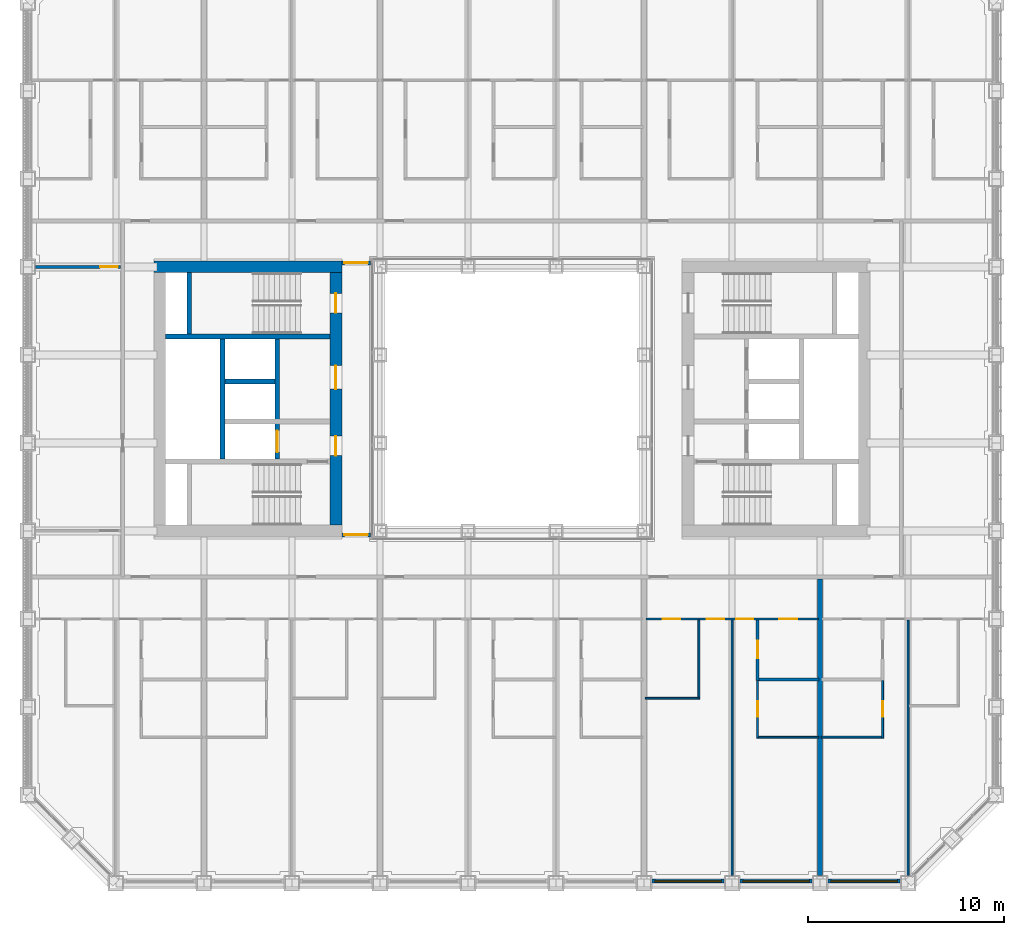
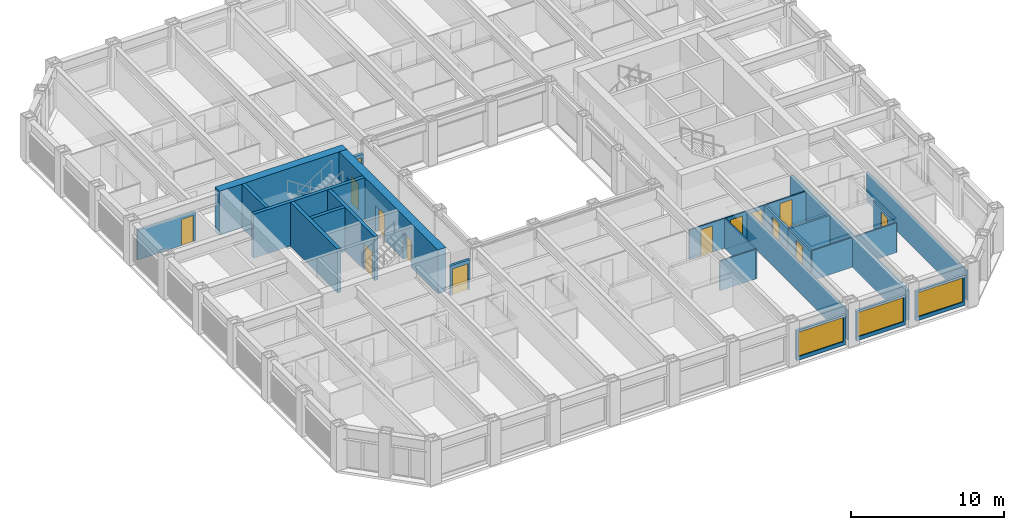
# One storey, part 11 of 21: 25 walls, 14 doors, 3 windows, 17 openings.
"""IFC4 building model written with IfcOpenShell, lengths in metres."""

import ifcopenshell
import ifcopenshell.guid

model = None  # the IFC model being written
_history = None  # IfcOwnerHistory: only IFC2X3 demands one
_inside = {}  # id of a spatial element -> (the spatial element, [elements in it])
_under = {}  # id of a project, library or spatial element -> (it, [spatial elements below it])
_declared = {}  # id of a project -> (the project, [libraries it declares])
_typed = {}  # id of a type object -> (the type object, [elements of that type])
_made_of = {}  # id of a material, layer set ... -> (it, [elements and type objects made of it])


def new_model(schema):
    """Start an empty IFC model of exactly this schema.

    Asked for "IFC4X3", IfcOpenShell would pick the latest addendum, in which some entities
    have other attributes; the version numbers below select the first issue.
    IFC2X3 requires an IfcOwnerHistory on every rooted entity: one is made here for all.
    """
    global model, _history
    if schema == "IFC4X3":
        model = ifcopenshell.file(schema_version=(4, 3, 0, 0))
    else:
        model = ifcopenshell.file(schema=schema)
    _inside.clear()
    _under.clear()
    _declared.clear()
    _typed.clear()
    _made_of.clear()
    _history = None
    if model.schema == "IFC2X3":
        org = make("IfcOrganization", Name="unknown")
        user = make(
            "IfcPersonAndOrganization",
            ThePerson=make("IfcPerson", FamilyName="unknown"),
            TheOrganization=org,
        )
        app = make(
            "IfcApplication",
            ApplicationDeveloper=org,
            Version="unknown",
            ApplicationFullName="unknown",
            ApplicationIdentifier="unknown",
        )
        _history = make(
            "IfcOwnerHistory",
            OwningUser=user,
            OwningApplication=app,
            ChangeAction="ADDED",
            CreationDate=0,
        )
    return model


def make(cls, **values):
    """One entity of the class cls with the attributes given. An attribute that is None is left unset."""
    return model.create_entity(
        cls, **{name: value for name, value in values.items() if value is not None}
    )


def rooted(cls, **values):
    """An entity with a GlobalId (a new one), such as an element, a storey or a relation."""
    return make(cls, GlobalId=ifcopenshell.guid.new(), OwnerHistory=_history, **values)


def si_unit(unit_type, name, prefix=None):
    """IfcSIUnit, for example si_unit("LENGTHUNIT", "METRE", prefix="MILLI")."""
    return make("IfcSIUnit", UnitType=unit_type, Prefix=prefix, Name=name)


def assignment(units):
    """IfcUnitAssignment: the units of a project."""
    return None if units is None else make("IfcUnitAssignment", Units=units)


def point(xyz):
    """IfcCartesianPoint."""
    return None if xyz is None else make("IfcCartesianPoint", Coordinates=xyz)


def direction(xyz):
    """IfcDirection."""
    return None if xyz is None else make("IfcDirection", DirectionRatios=xyz)


def frame(location, z_axis=None, x_axis=None):
    """IfcAxis2Placement3D, a coordinate frame: its origin and axes. An axis left out is left unset."""
    return make(
        "IfcAxis2Placement3D",
        Location=point(location),
        Axis=direction(z_axis),
        RefDirection=direction(x_axis),
    )


def frame_2d(location, x_axis=None):
    """IfcAxis2Placement2D, a coordinate frame in the plane: its origin and x axis."""
    return make(
        "IfcAxis2Placement2D", Location=point(location), RefDirection=direction(x_axis)
    )


def origin():
    """The frame at (0, 0, 0) with its axes left unset."""
    return frame((0.0, 0.0, 0.0))


def place(relative_to, where):
    """IfcLocalPlacement: puts the frame where relative to a parent placement (None: the world)."""
    return make(
        "IfcLocalPlacement", PlacementRelTo=relative_to, RelativePlacement=where
    )


def context(
    kind, dimensions, precision=None, world=None, true_north=None, identifier=None
):
    """IfcGeometricRepresentationContext, for example the 3D "Model" context."""
    return make(
        "IfcGeometricRepresentationContext",
        ContextIdentifier=identifier,
        ContextType=kind,
        CoordinateSpaceDimension=dimensions,
        Precision=precision,
        WorldCoordinateSystem=world,
        TrueNorth=true_north,
    )


def subcontext(parent, identifier, kind, view, scale=None):
    """IfcGeometricRepresentationSubContext, for example "Body" below "Model"."""
    return make(
        "IfcGeometricRepresentationSubContext",
        ContextIdentifier=identifier,
        ContextType=kind,
        ParentContext=parent,
        TargetScale=scale,
        TargetView=view,
    )


def project(units=None, contexts=None):
    """IfcProject with its units and contexts."""
    return rooted(
        "IfcProject",
        Name="project",
        RepresentationContexts=contexts,
        UnitsInContext=assignment(units),
    )


def spatial(cls, under=None, at=None, **own):
    """A site, building, storey or space (cls), placed at a placement, below another one or the project."""
    s = rooted(cls, ObjectPlacement=at, **own)
    if under is not None:
        _under.setdefault(under.id(), (under, []))[1].append(s)
    return s


def profile(cls, at=None, kind="AREA", **sizes):
    """A parametric profile (cls). Its sizes go by their IFC names, for example OverallWidth=200.0."""
    return make(cls, ProfileType=kind, Position=at, **sizes)


def rectangle(**sizes):
    """IfcRectangleProfileDef."""
    return profile("IfcRectangleProfileDef", **sizes)


def extrude(swept, where, along, depth):
    """IfcExtrudedAreaSolid: the profile swept, set in the frame where, extruded along a direction by depth."""
    return make(
        "IfcExtrudedAreaSolid",
        SweptArea=swept,
        Position=where,
        ExtrudedDirection=direction(along),
        Depth=depth,
    )


def shape(context_of_items, identifier, shape_type, items):
    """IfcShapeRepresentation: the items that make up one representation, for example the "Body"."""
    return make(
        "IfcShapeRepresentation",
        ContextOfItems=context_of_items,
        RepresentationIdentifier=identifier,
        RepresentationType=shape_type,
        Items=items,
    )


def material(Name=None, Category=None):
    """IfcMaterial."""
    return make("IfcMaterial", Name=Name, Category=Category)


def layer(
    of_material, thickness, ventilated=None, Name=None, Category=None, Priority=None
):
    """IfcMaterialLayer: one layer of a wall or slab, of a material (None: an air gap)."""
    return make(
        "IfcMaterialLayer",
        Material=of_material,
        LayerThickness=thickness,
        IsVentilated=ventilated,
        Name=Name,
        Category=Category,
        Priority=Priority,
    )


def layer_set(layers, Name=None):
    """IfcMaterialLayerSet."""
    return make("IfcMaterialLayerSet", MaterialLayers=layers, LayerSetName=Name)


def made_of(thing, what):
    """Note that an element or type object is made of a material, layer set ...; save() writes the relation."""
    if what is not None:
        _made_of.setdefault(what.id(), (what, []))[1].append(thing)
    return thing


def type_object(cls, material=None, **own):
    """A type object (cls), such as IfcWallType, which elements share."""
    return made_of(rooted(cls, **own), material)


def element(
    cls,
    number,
    at=None,
    inside=None,
    cuts=None,
    type_object=None,
    material=None,
    context=None,
    identifier="Body",
    shape_type=None,
    held_by="IfcProductDefinitionShape",
    body=None,
    shapes=None,
    **own,
):
    """One element of the class cls, such as IfcWall. Its Tag is "e" and its number.

    at: its placement. inside: the storey or other place that contains it. cuts: it is an
    opening in that element (IfcRelVoidsElement). A single representation is given by context,
    identifier, shape_type and body (its items); several are given by shapes. held_by: the class
    of the entity that holds the representations. save() writes the other relations.
    """
    e = rooted(cls, Tag="e%d" % number, ObjectPlacement=at, **own)
    if body is not None:
        shapes = [shape(context, identifier, shape_type, body)]
    if shapes is not None:
        e.Representation = make(held_by, Representations=shapes)
    if inside is not None:
        _inside.setdefault(inside.id(), (inside, []))[1].append(e)
    if cuts is not None:
        rooted(
            "IfcRelVoidsElement", RelatingBuildingElement=cuts, RelatedOpeningElement=e
        )
    if type_object is not None:
        _typed.setdefault(type_object.id(), (type_object, []))[1].append(e)
    return made_of(e, material)


def fill(opening, filler):
    """IfcRelFillsElement: the door or window that sits in an opening."""
    return rooted(
        "IfcRelFillsElement",
        RelatingOpeningElement=opening,
        RelatedBuildingElement=filler,
    )


def aggregate(whole, parts):
    """IfcRelAggregates: a whole, such as a stair, and the parts it consists of."""
    return rooted("IfcRelAggregates", RelatingObject=whole, RelatedObjects=parts)


def save(model, path):
    """Write the relations noted so far, then the file.

    IfcRelAggregates (storeys below a building ...), IfcRelContainedInSpatialStructure (elements
    in a storey), IfcRelDefinesByType, IfcRelAssociatesMaterial and IfcRelDeclares: one each for
    every whole, place, type object, material and project.
    """
    for whole, parts in _under.values():
        aggregate(whole, parts)
    for where, things in _inside.values():
        rooted(
            "IfcRelContainedInSpatialStructure",
            RelatedElements=things,
            RelatingStructure=where,
        )
    for kind, things in _typed.values():
        rooted("IfcRelDefinesByType", RelatedObjects=things, RelatingType=kind)
    for what, things in _made_of.values():
        rooted("IfcRelAssociatesMaterial", RelatedObjects=things, RelatingMaterial=what)
    for by, libraries in _declared.values():
        rooted("IfcRelDeclares", RelatingContext=by, RelatedDefinitions=libraries)
    model.write(path)


model = new_model("IFC4")

# Units and contexts
model_context = context("Model", 3, precision=1e-05, world=origin(), true_north=direction((0.0, 1.0)))
body_context = subcontext(model_context, "Body", "Model", "MODEL_VIEW")
ifc_project = project(units=[si_unit("LENGTHUNIT", "METRE"), si_unit("AREAUNIT", "SQUARE_METRE"), si_unit("VOLUMEUNIT", "CUBIC_METRE"), si_unit("PLANEANGLEUNIT", "RADIAN"), si_unit("MASSUNIT", "GRAM", prefix="KILO")], contexts=[model_context])

# Site, building, storey
site_placement = place(None, origin())
site = spatial("IfcSite", under=ifc_project, at=site_placement, CompositionType="ELEMENT")
building_placement = place(site_placement, origin())
building = spatial("IfcBuilding", under=site, at=building_placement, Name="Msasa Ring Tower", CompositionType="ELEMENT")
storey_placement = place(building_placement, frame((0.0, 0.0, 47.5)))
storey = spatial("IfcBuildingStorey", under=building, at=storey_placement, Name="L11", CompositionType="ELEMENT", Elevation=47.5)

# Wall
ifc_material_1 = material(Name="Concrete C60/75", Category="concrete")
ifc_layer_1 = layer(ifc_material_1, 0.60009765625)
ifc_layer_set_1 = layer_set([ifc_layer_1], Name="CW1 CORE WALL 600")
wall_type_1 = type_object("IfcWallType", Name="CW1 CORE WALL 600", PredefinedType="SHEAR", material=ifc_layer_set_1)
wall_1_placement = place(storey_placement, frame((-8.699951171875, 6.75, 0.0), z_axis=(0.0, 0.0, 1.0), x_axis=(-1.0, 0.0, 0.0)))
element("IfcWall", 1, at=wall_1_placement, inside=storey, type_object=wall_type_1, Name="W core wall N L11", PredefinedType="SHEAR", context=body_context, shape_type="SweptSolid", body=[
    extrude(rectangle(XDim=9.60009765625, YDim=0.60009765625, at=frame_2d((4.800048828125, 0.0))), origin(), (0.0, 0.0, 1.0), 3.5),
])

# Wall, openings, doors
wall_2_placement = place(storey_placement, frame((-9.0, -6.449951171875, 0.0), z_axis=(0.0, 0.0, 1.0), x_axis=(0.0, 1.0, 0.0)))
wall_2 = element("IfcWall", 2, at=wall_2_placement, inside=storey, type_object=wall_type_1, Name="W core wall W L11", PredefinedType="SHEAR", context=body_context, shape_type="SweptSolid", body=[
    extrude(rectangle(XDim=12.89990234375, YDim=0.60009765625, at=frame_2d((6.449951171875, 0.0))), origin(), (0.0, 0.0, 1.0), 3.5),
])
opening_1_placement = place(wall_2_placement, frame((3.550048828125, 0.0, 0.0)))
opening_1 = element("IfcOpeningElement", 3, at=opening_1_placement, cuts=wall_2, Name="Opening RC-042", PredefinedType="OPENING", context=body_context, shape_type="SweptSolid", body=[
    extrude(rectangle(XDim=1.0, YDim=2.10009765625, at=frame_2d((0.5, 1.050048828125))), frame((0.0, 0.31005859375, 0.0), z_axis=(0.0, -1.0, 0.0), x_axis=(1.0, 0.0, 0.0)), (0.0, 0.0, 1.0), 0.6201171875),
])
opening_2_placement = place(wall_2_placement, frame((6.949951171875, 0.0, 0.0)))
opening_2 = element("IfcOpeningElement", 4, at=opening_2_placement, cuts=wall_2, Name="Opening RC-038", PredefinedType="OPENING", context=body_context, shape_type="SweptSolid", body=[
    extrude(rectangle(XDim=1.199951171875, YDim=2.10009765625, at=frame_2d((0.60009765625, 1.050048828125))), frame((0.0, 0.31005859375, 0.0), z_axis=(0.0, -1.0, 0.0), x_axis=(1.0, 0.0, 0.0)), (0.0, 0.0, 1.0), 0.6201171875),
])
opening_3_placement = place(wall_2_placement, frame((10.85009765625, 0.0, 0.0)))
opening_3 = element("IfcOpeningElement", 5, at=opening_3_placement, cuts=wall_2, Name="Opening RC-036", PredefinedType="OPENING", context=body_context, shape_type="SweptSolid", body=[
    extrude(rectangle(XDim=1.0, YDim=2.10009765625, at=frame_2d((0.5, 1.050048828125))), frame((0.0, 0.31005859375, 0.0), z_axis=(0.0, -1.0, 0.0), x_axis=(1.0, 0.0, 0.0)), (0.0, 0.0, 1.0), 0.6201171875),
])
ifc_material_2 = material(Name="Timber door leaf in a steel frame", Category="steel")
door_type_1 = type_object("IfcDoorType", Name="D26 WIDE SERVICE ROOM DOOR 1200x2100", OperationType="SINGLE_SWING_LEFT", PredefinedType="DOOR", material=ifc_material_2)
door_1_placement = place(opening_2_placement, origin())
door_1 = element("IfcDoor", 6, at=door_1_placement, inside=storey, type_object=door_type_1, Name="Door L11-WCR", OperationType="SINGLE_SWING_RIGHT", OverallHeight=2.10009765625, OverallWidth=1.199951171875, PredefinedType="DOOR", context=body_context, shape_type="SweptSolid", body=[
    extrude(rectangle(XDim=1.199951171875, YDim=2.10009765625, at=frame_2d((0.60009765625, 1.050048828125))), frame((0.0, 0.02490234375, 0.0), z_axis=(0.0, -1.0, 0.0), x_axis=(1.0, 0.0, 0.0)), (0.0, 0.0, 1.0), 0.050048828125),
])
fill(opening_2, door_1)
ifc_material_3 = material(Name="Timber door leaf in a steel frame", Category="steel")
door_type_2 = type_object("IfcDoorType", Name="D4 LOBBY DOOR 1000x2100", OperationType="SINGLE_SWING_LEFT", PredefinedType="DOOR", material=ifc_material_3)
door_2_placement = place(opening_1_placement, origin())
door_2 = element("IfcDoor", 7, at=door_2_placement, inside=storey, type_object=door_type_2, Name="Door L11-WFFL", OperationType="SINGLE_SWING_LEFT", OverallHeight=2.10009765625, OverallWidth=1.0, PredefinedType="DOOR", context=body_context, shape_type="SweptSolid", body=[
    extrude(rectangle(XDim=1.0, YDim=2.10009765625, at=frame_2d((0.5, 1.050048828125))), frame((0.0, 0.02490234375, 0.0), z_axis=(0.0, -1.0, 0.0), x_axis=(1.0, 0.0, 0.0)), (0.0, 0.0, 1.0), 0.050048828125),
])
fill(opening_1, door_2)
ifc_material_4 = material(Name="Timber door leaf in a steel frame", Category="steel")
door_type_3 = type_object("IfcDoorType", Name="D6 STAIR DOOR 1000x2100", OperationType="SINGLE_SWING_LEFT", PredefinedType="DOOR", material=ifc_material_4)
door_3_placement = place(opening_3_placement, origin())
door_3 = element("IfcDoor", 8, at=door_3_placement, inside=storey, type_object=door_type_3, Name="Door L11-WSTB", OperationType="SINGLE_SWING_RIGHT", OverallHeight=2.10009765625, OverallWidth=1.0, PredefinedType="DOOR", context=body_context, shape_type="SweptSolid", body=[
    extrude(rectangle(XDim=1.0, YDim=2.10009765625, at=frame_2d((0.5, 1.050048828125))), frame((0.0, 0.02490234375, 0.0), z_axis=(0.0, -1.0, 0.0), x_axis=(1.0, 0.0, 0.0)), (0.0, 0.0, 1.0), 0.050048828125),
])
fill(opening_3, door_3)

# Walls
ifc_material_5 = material(Name="Concrete C60/75", Category="concrete")
ifc_layer_2 = layer(ifc_material_5, 0.25)
ifc_layer_set_2 = layer_set([ifc_layer_2], Name="CW4 CORE INNER WALL 250")
wall_type_2 = type_object("IfcWallType", Name="CW4 CORE INNER WALL 250", PredefinedType="SHEAR", material=ifc_layer_set_2)
wall_3_placement = place(storey_placement, frame((-9.300048828125, 3.199951171875, 0.0), z_axis=(0.0, 0.0, 1.0), x_axis=(-1.0, 0.0, 0.0)))
element("IfcWall", 9, at=wall_3_placement, inside=storey, type_object=wall_type_2, Name="W core wall STAIRB L11", PredefinedType="SHEAR", context=body_context, shape_type="SweptSolid", body=[
    extrude(rectangle(XDim=8.39990234375, YDim=0.25, at=frame_2d((4.199951171875, 0.0))), origin(), (0.0, 0.0, 1.0), 3.5),
])
wall_4_placement = place(storey_placement, frame((-16.5, 3.324951171875, 0.0), z_axis=(0.0, 0.0, 1.0), x_axis=(0.0, 1.0, 0.0)))
element("IfcWall", 10, at=wall_4_placement, inside=storey, type_object=wall_type_2, Name="W core wall RISERB L11", PredefinedType="SHEAR", context=body_context, shape_type="SweptSolid", body=[
    extrude(rectangle(XDim=3.125, YDim=0.25, at=frame_2d((1.5625, 0.0))), origin(), (0.0, 0.0, 1.0), 3.5),
])

# Wall, opening, door
wall_5_placement = place(storey_placement, frame((-12.0, -3.074951171875, 0.0), z_axis=(0.0, 0.0, 1.0), x_axis=(0.0, 1.0, 0.0)))
wall_5 = element("IfcWall", 11, at=wall_5_placement, inside=storey, type_object=wall_type_2, Name="W core wall LOBBY L11", PredefinedType="SHEAR", context=body_context, shape_type="SweptSolid", body=[
    extrude(rectangle(XDim=6.14990234375, YDim=0.25, at=frame_2d((3.074951171875, 0.0))), origin(), (0.0, 0.0, 1.0), 3.5),
])
opening_4_placement = place(wall_5_placement, frame((0.35009765625, 0.0, 0.0)))
opening_4 = element("IfcOpeningElement", 12, at=opening_4_placement, cuts=wall_5, Name="Opening LD1", PredefinedType="OPENING", context=body_context, shape_type="SweptSolid", body=[
    extrude(rectangle(XDim=1.10009765625, YDim=2.10009765625, at=frame_2d((0.550048828125, 1.050048828125))), frame((0.0, 0.135009765625, 0.0), z_axis=(0.0, -1.0, 0.0), x_axis=(1.0, 0.0, 0.0)), (0.0, 0.0, 1.0), 0.27001953125),
])
ifc_material_6 = material(Name="Stainless steel lift landing door", Category="steel")
door_type_4 = type_object("IfcDoorType", Name="LD1 LIFT LANDING DOOR 1100x2100", OperationType="DOUBLE_DOOR_SLIDING", PredefinedType="DOOR", material=ifc_material_6)
door_4_placement = place(opening_4_placement, origin())
door_4 = element("IfcDoor", 13, at=door_4_placement, inside=storey, type_object=door_type_4, Name="Lift landing door FL-W L11", OperationType="DOUBLE_DOOR_SLIDING", OverallHeight=2.10009765625, OverallWidth=1.10009765625, PredefinedType="DOOR", context=body_context, shape_type="SweptSolid", body=[
    extrude(rectangle(XDim=1.10009765625, YDim=2.10009765625, at=frame_2d((0.550048828125, 1.050048828125))), frame((0.0, 0.02490234375, 0.0), z_axis=(0.0, -1.0, 0.0), x_axis=(1.0, 0.0, 0.0)), (0.0, 0.0, 1.0), 0.050048828125),
])
fill(opening_4, door_4)

# Walls
wall_6_placement = place(storey_placement, frame((-14.800048828125, -3.074951171875, 0.0), z_axis=(0.0, 0.0, 1.0), x_axis=(0.0, 1.0, 0.0)))
element("IfcWall", 14, at=wall_6_placement, inside=storey, type_object=wall_type_2, Name="W core wall SHAFT L11", PredefinedType="SHEAR", context=body_context, shape_type="SweptSolid", body=[
    extrude(rectangle(XDim=6.14990234375, YDim=0.25, at=frame_2d((3.074951171875, 0.0))), origin(), (0.0, 0.0, 1.0), 3.5),
])
wall_7_placement = place(storey_placement, frame((-12.125, 0.89990234375, 0.0), z_axis=(0.0, 0.0, 1.0), x_axis=(-1.0, 0.0, 0.0)))
element("IfcWall", 15, at=wall_7_placement, inside=storey, type_object=wall_type_2, Name="W core wall LIFT1 L11", PredefinedType="SHEAR", context=body_context, shape_type="SweptSolid", body=[
    extrude(rectangle(XDim=2.550048828125, YDim=0.25, at=frame_2d((1.27490234375, 0.0))), origin(), (0.0, 0.0, 1.0), 3.5),
])

# Wall, opening, window
ifc_material_7 = material(Name="Terracotta rainscreen on blockwork", Category="masonry")
ifc_layer_3 = layer(ifc_material_7, 0.199951171875)
ifc_layer_set_3 = layer_set([ifc_layer_3], Name="FW1 TERRACOTTA-LINED INFILL BAY WALL 200")
wall_type_3 = type_object("IfcWallType", Name="FW1 TERRACOTTA-LINED INFILL BAY WALL 200", PredefinedType="SOLIDWALL", material=ifc_layer_set_3)
wall_8_placement = place(storey_placement, frame((7.155029296875, -24.64990234375, 0.0), z_axis=(0.0, 0.0, 1.0), x_axis=(1.0, 0.0, 0.0)))
wall_8 = element("IfcWall", 16, at=wall_8_placement, inside=storey, type_object=wall_type_3, Name="Infill bay wall S L11 06", PredefinedType="SOLIDWALL", context=body_context, shape_type="SweptSolid", body=[
    extrude(rectangle(XDim=3.68994140625, YDim=0.199951171875, at=frame_2d((1.844970703125, 0.0))), origin(), (0.0, 0.0, 1.0), 2.37890625),
])
opening_5_placement = place(wall_8_placement, frame((0.14501953125, 0.0, 0.300048828125)))
opening_5 = element("IfcOpeningElement", 17, at=opening_5_placement, cuts=wall_8, Name="Opening WN1", PredefinedType="OPENING", context=body_context, shape_type="SweptSolid", body=[
    extrude(rectangle(XDim=3.39990234375, YDim=1.928955078125, at=frame_2d((1.699951171875, 0.96435546875))), frame((0.0, 0.10986328125, 0.0), z_axis=(0.0, -1.0, 0.0), x_axis=(1.0, 0.0, 0.0)), (0.0, 0.0, 1.0), 0.219970703125),
])
ifc_material_8 = material(Name="Aluminium frame with clear glass", Category="aluminium")
window_type = type_object("IfcWindowType", Name="WN1 RESIDENCE WINDOW 3400x1929", PartitioningType="SINGLE_PANEL", PredefinedType="WINDOW", material=ifc_material_8)
window_1_placement = place(opening_5_placement, origin())
window_1 = element("IfcWindow", 18, at=window_1_placement, inside=storey, type_object=window_type, Name="Window S L11 06", OverallHeight=1.928955078125, OverallWidth=3.39990234375, PartitioningType="SINGLE_PANEL", PredefinedType="WINDOW", context=body_context, shape_type="SweptSolid", body=[
    extrude(rectangle(XDim=3.39990234375, YDim=1.928955078125, at=frame_2d((1.699951171875, 0.96435546875))), frame((0.0, 0.030029296875, 0.0), z_axis=(0.0, -1.0, 0.0), x_axis=(1.0, 0.0, 0.0)), (0.0, 0.0, 1.0), 0.06005859375),
])
fill(opening_5, window_1)

wall_9_placement = place(storey_placement, frame((11.655029296875, -24.64990234375, 0.0), z_axis=(0.0, 0.0, 1.0), x_axis=(1.0, 0.0, 0.0)))
wall_9 = element("IfcWall", 19, at=wall_9_placement, inside=storey, type_object=wall_type_3, Name="Infill bay wall S L11 07", PredefinedType="SOLIDWALL", context=body_context, shape_type="SweptSolid", body=[
    extrude(rectangle(XDim=3.68994140625, YDim=0.199951171875, at=frame_2d((1.844970703125, 0.0))), origin(), (0.0, 0.0, 1.0), 2.37890625),
])
opening_6_placement = place(wall_9_placement, frame((0.14501953125, 0.0, 0.300048828125)))
opening_6 = element("IfcOpeningElement", 20, at=opening_6_placement, cuts=wall_9, Name="Opening WN1", PredefinedType="OPENING", context=body_context, shape_type="SweptSolid", body=[
    extrude(rectangle(XDim=3.39990234375, YDim=1.928955078125, at=frame_2d((1.699951171875, 0.96435546875))), frame((0.0, 0.10986328125, 0.0), z_axis=(0.0, -1.0, 0.0), x_axis=(1.0, 0.0, 0.0)), (0.0, 0.0, 1.0), 0.219970703125),
])
window_2_placement = place(opening_6_placement, origin())
window_2 = element("IfcWindow", 21, at=window_2_placement, inside=storey, type_object=window_type, Name="Window S L11 07", OverallHeight=1.928955078125, OverallWidth=3.39990234375, PartitioningType="SINGLE_PANEL", PredefinedType="WINDOW", context=body_context, shape_type="SweptSolid", body=[
    extrude(rectangle(XDim=3.39990234375, YDim=1.928955078125, at=frame_2d((1.699951171875, 0.96435546875))), frame((0.0, 0.030029296875, 0.0), z_axis=(0.0, -1.0, 0.0), x_axis=(1.0, 0.0, 0.0)), (0.0, 0.0, 1.0), 0.06005859375),
])
fill(opening_6, window_2)

wall_10_placement = place(storey_placement, frame((16.155029296875, -24.64990234375, 0.0), z_axis=(0.0, 0.0, 1.0), x_axis=(1.0, 0.0, 0.0)))
wall_10 = element("IfcWall", 22, at=wall_10_placement, inside=storey, type_object=wall_type_3, Name="Infill bay wall S L11 08", PredefinedType="SOLIDWALL", context=body_context, shape_type="SweptSolid", body=[
    extrude(rectangle(XDim=3.68994140625, YDim=0.199951171875, at=frame_2d((1.844970703125, 0.0))), origin(), (0.0, 0.0, 1.0), 2.37890625),
])
opening_7_placement = place(wall_10_placement, frame((0.14501953125, 0.0, 0.300048828125)))
opening_7 = element("IfcOpeningElement", 23, at=opening_7_placement, cuts=wall_10, Name="Opening WN1", PredefinedType="OPENING", context=body_context, shape_type="SweptSolid", body=[
    extrude(rectangle(XDim=3.39990234375, YDim=1.928955078125, at=frame_2d((1.699951171875, 0.96435546875))), frame((0.0, 0.10986328125, 0.0), z_axis=(0.0, -1.0, 0.0), x_axis=(1.0, 0.0, 0.0)), (0.0, 0.0, 1.0), 0.219970703125),
])
window_3_placement = place(opening_7_placement, origin())
window_3 = element("IfcWindow", 24, at=window_3_placement, inside=storey, type_object=window_type, Name="Window S L11 08", OverallHeight=1.928955078125, OverallWidth=3.39990234375, PartitioningType="SINGLE_PANEL", PredefinedType="WINDOW", context=body_context, shape_type="SweptSolid", body=[
    extrude(rectangle(XDim=3.39990234375, YDim=1.928955078125, at=frame_2d((1.699951171875, 0.96435546875))), frame((0.0, 0.030029296875, 0.0), z_axis=(0.0, -1.0, 0.0), x_axis=(1.0, 0.0, 0.0)), (0.0, 0.0, 1.0), 0.06005859375),
])
fill(opening_7, window_3)

# Wall, opening, door
ifc_material_9 = material(Name="Concrete blockwork", Category="masonry")
ifc_layer_4 = layer(ifc_material_9, 0.199951171875)
ifc_layer_set_4 = layer_set([ifc_layer_4], Name="PT1 CORRIDOR WALL 200")
wall_type_4 = type_object("IfcWallType", Name="PT1 CORRIDOR WALL 200", PredefinedType="PARTITIONING", material=ifc_layer_set_4)
wall_11_placement = place(storey_placement, frame((-8.699951171875, 6.949951171875, 0.0), z_axis=(0.0, 0.0, 1.0), x_axis=(1.0, 0.0, 0.0)))
wall_11 = element("IfcWall", 25, at=wall_11_placement, inside=storey, type_object=wall_type_4, Name="Corridor wall L11-SDWN", PredefinedType="PARTITIONING", context=body_context, shape_type="SweptSolid", body=[
    extrude(rectangle(XDim=1.469970703125, YDim=0.199951171875, at=frame_2d((0.73486328125, 0.0))), origin(), (0.0, 0.0, 1.0), 2.373291015625),
])
opening_8_placement = place(wall_11_placement, frame((0.135009765625, 0.0, 0.0)))
opening_8 = element("IfcOpeningElement", 26, at=opening_8_placement, cuts=wall_11, Name="Opening RC-034", PredefinedType="OPENING", context=body_context, shape_type="SweptSolid", body=[
    extrude(rectangle(XDim=1.199951171875, YDim=2.10009765625, at=frame_2d((0.60009765625, 1.050048828125))), frame((0.0, 0.10986328125, 0.0), z_axis=(0.0, -1.0, 0.0), x_axis=(1.0, 0.0, 0.0)), (0.0, 0.0, 1.0), 0.219970703125),
])
ifc_material_10 = material(Name="Timber door leaf in a steel frame", Category="steel")
door_type_5 = type_object("IfcDoorType", Name="D25 CORRIDOR PAIR OF SMOKE DOORS 1200x2100", OperationType="DOUBLE_DOOR_DOUBLE_SWING", PredefinedType="DOOR", material=ifc_material_10)
door_5_placement = place(opening_8_placement, origin())
door_5 = element("IfcDoor", 27, at=door_5_placement, inside=storey, type_object=door_type_5, Name="Door L11-SDWN", OperationType="DOUBLE_DOOR_DOUBLE_SWING", OverallHeight=2.10009765625, OverallWidth=1.199951171875, PredefinedType="DOOR", context=body_context, shape_type="SweptSolid", body=[
    extrude(rectangle(XDim=1.199951171875, YDim=2.10009765625, at=frame_2d((0.60009765625, 1.050048828125))), frame((0.0, 0.02490234375, 0.0), z_axis=(0.0, -1.0, 0.0), x_axis=(1.0, 0.0, 0.0)), (0.0, 0.0, 1.0), 0.050048828125),
])
fill(opening_8, door_5)

wall_12_placement = place(storey_placement, frame((-8.699951171875, -6.949951171875, 0.0), z_axis=(0.0, 0.0, 1.0), x_axis=(1.0, 0.0, 0.0)))
wall_12 = element("IfcWall", 28, at=wall_12_placement, inside=storey, type_object=wall_type_4, Name="Corridor wall L11-SDWS", PredefinedType="PARTITIONING", context=body_context, shape_type="SweptSolid", body=[
    extrude(rectangle(XDim=1.469970703125, YDim=0.199951171875, at=frame_2d((0.73486328125, 0.0))), origin(), (0.0, 0.0, 1.0), 2.373291015625),
])
opening_9_placement = place(wall_12_placement, frame((0.135009765625, 0.0, 0.0)))
opening_9 = element("IfcOpeningElement", 29, at=opening_9_placement, cuts=wall_12, Name="Opening RC-047", PredefinedType="OPENING", context=body_context, shape_type="SweptSolid", body=[
    extrude(rectangle(XDim=1.199951171875, YDim=2.10009765625, at=frame_2d((0.60009765625, 1.050048828125))), frame((0.0, 0.10986328125, 0.0), z_axis=(0.0, -1.0, 0.0), x_axis=(1.0, 0.0, 0.0)), (0.0, 0.0, 1.0), 0.219970703125),
])
door_6_placement = place(opening_9_placement, origin())
door_6 = element("IfcDoor", 30, at=door_6_placement, inside=storey, type_object=door_type_5, Name="Door L11-SDWS", OperationType="DOUBLE_DOOR_DOUBLE_SWING", OverallHeight=2.10009765625, OverallWidth=1.199951171875, PredefinedType="DOOR", context=body_context, shape_type="SweptSolid", body=[
    extrude(rectangle(XDim=1.199951171875, YDim=2.10009765625, at=frame_2d((0.60009765625, 1.050048828125))), frame((0.0, 0.02490234375, 0.0), z_axis=(0.0, -1.0, 0.0), x_axis=(1.0, 0.0, 0.0)), (0.0, 0.0, 1.0), 0.050048828125),
])
fill(opening_9, door_6)

# Wall, openings, doors
ifc_material_11 = material(Name="Gypsum board on steel studs", Category="steel")
ifc_layer_5 = layer(ifc_material_11, 0.10009765625)
ifc_layer_set_5 = layer_set([ifc_layer_5], Name="PT2 STUD PARTITION 100")
wall_type_5 = type_object("IfcWallType", Name="PT2 STUD PARTITION 100", PredefinedType="PARTITIONING", material=ifc_layer_set_5)
wall_13_placement = place(storey_placement, frame((6.85009765625, -11.25, 0.0), z_axis=(0.0, 0.0, 1.0), x_axis=(1.0, 0.0, 0.0)))
wall_13 = element("IfcWall", 31, at=wall_13_placement, inside=storey, type_object=wall_type_5, Name="Partition L11-US03HY", PredefinedType="PARTITIONING", context=body_context, shape_type="SweptSolid", body=[
    extrude(rectangle(XDim=8.7998046875, YDim=0.10009765625, at=frame_2d((4.39990234375, 0.0))), origin(), (0.0, 0.0, 1.0), 2.373291015625),
])
opening_10_placement = place(wall_13_placement, frame((0.85009765625, 0.0, 0.0)))
opening_10 = element("IfcOpeningElement", 32, at=opening_10_placement, cuts=wall_13, Name="Opening RC-066", PredefinedType="OPENING", context=body_context, shape_type="SweptSolid", body=[
    extrude(rectangle(XDim=0.89990234375, YDim=2.10009765625, at=frame_2d((0.449951171875, 1.050048828125))), frame((0.0, 0.06005859375, 0.0), z_axis=(0.0, -1.0, 0.0), x_axis=(1.0, 0.0, 0.0)), (0.0, 0.0, 1.0), 0.1201171875),
])
opening_11_placement = place(wall_13_placement, frame((3.10009765625, 0.0, 0.0)))
opening_11 = element("IfcOpeningElement", 33, at=opening_11_placement, cuts=wall_13, Name="Opening RC-067", PredefinedType="OPENING", context=body_context, shape_type="SweptSolid", body=[
    extrude(rectangle(XDim=0.89990234375, YDim=2.10009765625, at=frame_2d((0.449951171875, 1.050048828125))), frame((0.0, 0.06005859375, 0.0), z_axis=(0.0, -1.0, 0.0), x_axis=(1.0, 0.0, 0.0)), (0.0, 0.0, 1.0), 0.1201171875),
])
opening_12_placement = place(wall_13_placement, frame((4.625, 0.0, 0.0)))
opening_12 = element("IfcOpeningElement", 34, at=opening_12_placement, cuts=wall_13, Name="Opening RC-068", PredefinedType="OPENING", context=body_context, shape_type="SweptSolid", body=[
    extrude(rectangle(XDim=0.85009765625, YDim=2.10009765625, at=frame_2d((0.425048828125, 1.050048828125))), frame((0.0, 0.06005859375, 0.0), z_axis=(0.0, -1.0, 0.0), x_axis=(1.0, 0.0, 0.0)), (0.0, 0.0, 1.0), 0.1201171875),
])
opening_13_placement = place(wall_13_placement, frame((6.820068359375, 0.0, 0.0)))
opening_13 = element("IfcOpeningElement", 35, at=opening_13_placement, cuts=wall_13, Name="Opening RC-069", PredefinedType="OPENING", context=body_context, shape_type="SweptSolid", body=[
    extrude(rectangle(XDim=0.89990234375, YDim=2.10009765625, at=frame_2d((0.449951171875, 1.050048828125))), frame((0.0, 0.06005859375, 0.0), z_axis=(0.0, -1.0, 0.0), x_axis=(1.0, 0.0, 0.0)), (0.0, 0.0, 1.0), 0.1201171875),
])
ifc_material_12 = material(Name="Timber door leaf in a steel frame", Category="steel")
door_type_6 = type_object("IfcDoorType", Name="D14 BEDROOM DOOR 850x2100", OperationType="SINGLE_SWING_LEFT", PredefinedType="DOOR", material=ifc_material_12)
door_7_placement = place(opening_12_placement, origin())
door_7 = element("IfcDoor", 36, at=door_7_placement, inside=storey, type_object=door_type_6, Name="Door L11-US03R1", OperationType="SINGLE_SWING_RIGHT", OverallHeight=2.10009765625, OverallWidth=0.85009765625, PredefinedType="DOOR", context=body_context, shape_type="SweptSolid", body=[
    extrude(rectangle(XDim=0.85009765625, YDim=2.10009765625, at=frame_2d((0.425048828125, 1.050048828125))), frame((0.0, 0.02490234375, 0.0), z_axis=(0.0, -1.0, 0.0), x_axis=(1.0, 0.0, 0.0)), (0.0, 0.0, 1.0), 0.050048828125),
])
fill(opening_12, door_7)
ifc_material_13 = material(Name="Timber door leaf in a steel frame", Category="steel")
door_type_7 = type_object("IfcDoorType", Name="D22 INTERNAL HALL DOOR 900x2100", OperationType="SINGLE_SWING_LEFT", PredefinedType="DOOR", material=ifc_material_13)
door_8_placement = place(opening_10_placement, origin())
door_8 = element("IfcDoor", 37, at=door_8_placement, inside=storey, type_object=door_type_7, Name="Door L11-US03K", OperationType="SINGLE_SWING_LEFT", OverallHeight=2.10009765625, OverallWidth=0.89990234375, PredefinedType="DOOR", context=body_context, shape_type="SweptSolid", body=[
    extrude(rectangle(XDim=0.89990234375, YDim=2.10009765625, at=frame_2d((0.449951171875, 1.050048828125))), frame((0.0, 0.02490234375, 0.0), z_axis=(0.0, -1.0, 0.0), x_axis=(1.0, 0.0, 0.0)), (0.0, 0.0, 1.0), 0.050048828125),
])
fill(opening_10, door_8)
door_9_placement = place(opening_11_placement, origin())
door_9 = element("IfcDoor", 38, at=door_9_placement, inside=storey, type_object=door_type_7, Name="Door L11-US03L", OperationType="SINGLE_SWING_LEFT", OverallHeight=2.10009765625, OverallWidth=0.89990234375, PredefinedType="DOOR", context=body_context, shape_type="SweptSolid", body=[
    extrude(rectangle(XDim=0.89990234375, YDim=2.10009765625, at=frame_2d((0.449951171875, 1.050048828125))), frame((0.0, 0.02490234375, 0.0), z_axis=(0.0, -1.0, 0.0), x_axis=(1.0, 0.0, 0.0)), (0.0, 0.0, 1.0), 0.050048828125),
])
fill(opening_11, door_9)
ifc_material_14 = material(Name="Timber door leaf in a steel frame", Category="steel")
door_type_8 = type_object("IfcDoorType", Name="D3 BATHROOM DOOR 900x2100", OperationType="SINGLE_SWING_LEFT", PredefinedType="DOOR", material=ifc_material_14)
door_10_placement = place(opening_13_placement, origin())
door_10 = element("IfcDoor", 39, at=door_10_placement, inside=storey, type_object=door_type_8, Name="Door L11-US03BH1", OperationType="SINGLE_SWING_RIGHT", OverallHeight=2.10009765625, OverallWidth=0.89990234375, PredefinedType="DOOR", context=body_context, shape_type="SweptSolid", body=[
    extrude(rectangle(XDim=0.89990234375, YDim=2.10009765625, at=frame_2d((0.449951171875, 1.050048828125))), frame((0.0, 0.02490234375, 0.0), z_axis=(0.0, -1.0, 0.0), x_axis=(1.0, 0.0, 0.0)), (0.0, 0.0, 1.0), 0.050048828125),
])
fill(opening_13, door_10)

# Walls
wall_14_placement = place(storey_placement, frame((9.550048828125, -15.35009765625, 0.0), z_axis=(0.0, 0.0, 1.0), x_axis=(0.0, 1.0, 0.0)))
element("IfcWall", 40, at=wall_14_placement, inside=storey, type_object=wall_type_5, Name="Partition L11-US03KX", PredefinedType="PARTITIONING", context=body_context, shape_type="SweptSolid", body=[
    extrude(rectangle(XDim=4.050048828125, YDim=0.10009765625, at=frame_2d((2.02490234375, 0.0))), origin(), (0.0, 0.0, 1.0), 2.373291015625),
])
wall_15_placement = place(storey_placement, frame((6.81005859375, -15.300048828125, 0.0), z_axis=(0.0, 0.0, 1.0), x_axis=(1.0, 0.0, 0.0)))
element("IfcWall", 41, at=wall_15_placement, inside=storey, type_object=wall_type_5, Name="Partition L11-US03KY", PredefinedType="PARTITIONING", context=body_context, shape_type="SweptSolid", body=[
    extrude(rectangle(XDim=2.739990234375, YDim=0.10009765625, at=frame_2d((1.3701171875, 0.0))), origin(), (0.0, 0.0, 1.0), 2.373291015625),
])
wall_16_placement = place(storey_placement, frame((11.25, -24.35009765625, 0.0), z_axis=(0.0, 0.0, 1.0), x_axis=(0.0, 1.0, 0.0)))
element("IfcWall", 42, at=wall_16_placement, inside=storey, type_object=wall_type_5, Name="Partition L11-US03P1", PredefinedType="PARTITIONING", context=body_context, shape_type="SweptSolid", body=[
    extrude(rectangle(XDim=13.050048828125, YDim=0.10009765625, at=frame_2d((6.52490234375, 0.0))), origin(), (0.0, 0.0, 1.0), 2.373291015625),
])

# Wall, opening, door
wall_17_placement = place(storey_placement, frame((12.550048828125, -17.343505859375, 0.0), z_axis=(0.0, 0.0, 1.0), x_axis=(0.0, 1.0, 0.0)))
wall_17 = element("IfcWall", 43, at=wall_17_placement, inside=storey, type_object=wall_type_5, Name="Partition L11-US03WX1", PredefinedType="PARTITIONING", context=body_context, shape_type="SweptSolid", body=[
    extrude(rectangle(XDim=2.943603515625, YDim=0.10009765625, at=frame_2d((1.4716796875, 0.0))), origin(), (0.0, 0.0, 1.0), 2.373291015625),
])
opening_14_placement = place(wall_17_placement, frame((1.0966796875, 0.0, 0.0)))
opening_14 = element("IfcOpeningElement", 44, at=opening_14_placement, cuts=wall_17, Name="Opening RC-084", PredefinedType="OPENING", context=body_context, shape_type="SweptSolid", body=[
    extrude(rectangle(XDim=0.800048828125, YDim=2.10009765625, at=frame_2d((0.39990234375, 1.050048828125))), frame((0.0, 0.06005859375, 0.0), z_axis=(0.0, -1.0, 0.0), x_axis=(1.0, 0.0, 0.0)), (0.0, 0.0, 1.0), 0.1201171875),
])
ifc_material_15 = material(Name="Timber door leaf in a steel frame", Category="steel")
door_type_9 = type_object("IfcDoorType", Name="D60 DRESSING ROOM DOOR 800x2100", OperationType="SINGLE_SWING_LEFT", PredefinedType="DOOR", material=ifc_material_15)
door_11_placement = place(opening_14_placement, origin())
door_11 = element("IfcDoor", 45, at=door_11_placement, inside=storey, type_object=door_type_9, Name="Door L11-US03W1", OperationType="SINGLE_SWING_LEFT", OverallHeight=2.10009765625, OverallWidth=0.800048828125, PredefinedType="DOOR", context=body_context, shape_type="SweptSolid", body=[
    extrude(rectangle(XDim=0.800048828125, YDim=2.10009765625, at=frame_2d((0.39990234375, 1.050048828125))), frame((0.0, 0.02490234375, 0.0), z_axis=(0.0, -1.0, 0.0), x_axis=(1.0, 0.0, 0.0)), (0.0, 0.0, 1.0), 0.050048828125),
])
fill(opening_14, door_11)

# Walls
wall_18_placement = place(storey_placement, frame((12.550048828125, -17.29345703125, 0.0), z_axis=(0.0, 0.0, 1.0), x_axis=(1.0, 0.0, 0.0)))
element("IfcWall", 46, at=wall_18_placement, inside=storey, type_object=wall_type_5, Name="Partition L11-US03WY1", PredefinedType="PARTITIONING", context=body_context, shape_type="SweptSolid", body=[
    extrude(rectangle(XDim=3.139892578125, YDim=0.10009765625, at=frame_2d((1.56982421875, 0.0))), origin(), (0.0, 0.0, 1.0), 2.373291015625),
])
wall_19_placement = place(storey_placement, frame((20.25, -24.35009765625, 0.0), z_axis=(0.0, 0.0, 1.0), x_axis=(0.0, 1.0, 0.0)))
element("IfcWall", 47, at=wall_19_placement, inside=storey, type_object=wall_type_5, Name="Partition L11-US04P1", PredefinedType="PARTITIONING", context=body_context, shape_type="SweptSolid", body=[
    extrude(rectangle(XDim=13.050048828125, YDim=0.10009765625, at=frame_2d((6.52490234375, 0.0))), origin(), (0.0, 0.0, 1.0), 2.373291015625),
])

# Wall, opening, door
wall_20_placement = place(storey_placement, frame((18.949951171875, -17.3408203125, 0.0), z_axis=(0.0, 0.0, 1.0), x_axis=(0.0, 1.0, 0.0)))
wall_20 = element("IfcWall", 48, at=wall_20_placement, inside=storey, type_object=wall_type_5, Name="Partition L11-US04WX1", PredefinedType="PARTITIONING", context=body_context, shape_type="SweptSolid", body=[
    extrude(rectangle(XDim=2.94091796875, YDim=0.10009765625, at=frame_2d((1.470458984375, 0.0))), origin(), (0.0, 0.0, 1.0), 2.373291015625),
])
opening_15_placement = place(wall_20_placement, frame((1.095458984375, 0.0, 0.0)))
opening_15 = element("IfcOpeningElement", 49, at=opening_15_placement, cuts=wall_20, Name="Opening RC-085", PredefinedType="OPENING", context=body_context, shape_type="SweptSolid", body=[
    extrude(rectangle(XDim=0.800048828125, YDim=2.10009765625, at=frame_2d((0.39990234375, 1.050048828125))), frame((0.0, 0.06005859375, 0.0), z_axis=(0.0, -1.0, 0.0), x_axis=(1.0, 0.0, 0.0)), (0.0, 0.0, 1.0), 0.1201171875),
])
door_12_placement = place(opening_15_placement, origin())
door_12 = element("IfcDoor", 50, at=door_12_placement, inside=storey, type_object=door_type_9, Name="Door L11-US04W1", OperationType="SINGLE_SWING_LEFT", OverallHeight=2.10009765625, OverallWidth=0.800048828125, PredefinedType="DOOR", context=body_context, shape_type="SweptSolid", body=[
    extrude(rectangle(XDim=0.800048828125, YDim=2.10009765625, at=frame_2d((0.39990234375, 1.050048828125))), frame((0.0, 0.02490234375, 0.0), z_axis=(0.0, -1.0, 0.0), x_axis=(1.0, 0.0, 0.0)), (0.0, 0.0, 1.0), 0.050048828125),
])
fill(opening_15, door_12)

# Walls
wall_21_placement = place(storey_placement, frame((15.81005859375, -17.291015625, 0.0), z_axis=(0.0, 0.0, 1.0), x_axis=(1.0, 0.0, 0.0)))
element("IfcWall", 51, at=wall_21_placement, inside=storey, type_object=wall_type_5, Name="Partition L11-US04WY1", PredefinedType="PARTITIONING", context=body_context, shape_type="SweptSolid", body=[
    extrude(rectangle(XDim=3.139892578125, YDim=0.10009765625, at=frame_2d((1.56982421875, 0.0))), origin(), (0.0, 0.0, 1.0), 2.373291015625),
])
ifc_material_16 = material(Name="Dense concrete blockwork, plastered both faces", Category="masonry")
ifc_layer_6 = layer(ifc_material_16, 0.25)
ifc_layer_set_6 = layer_set([ifc_layer_6], Name="PT3 APARTMENT SEPARATING WALL 250")
wall_type_6 = type_object("IfcWallType", Name="PT3 APARTMENT SEPARATING WALL 250", PredefinedType="PARTITIONING", material=ifc_layer_set_6)
wall_22_placement = place(storey_placement, frame((15.75, -24.35009765625, 0.0), z_axis=(0.0, 0.0, 1.0), x_axis=(0.0, 1.0, 0.0)))
element("IfcWall", 52, at=wall_22_placement, inside=storey, type_object=wall_type_6, Name="Party wall L11-PWS+15.75", PredefinedType="PARTITIONING", context=body_context, shape_type="SweptSolid", body=[
    extrude(rectangle(XDim=15.150146484375, YDim=0.25, at=frame_2d((7.5751953125, 0.0))), origin(), (0.0, 0.0, 1.0), 2.373291015625),
])

# Wall, opening, door
ifc_material_17 = material(Name="Moisture-resistant board on steel studs with a concealed cistern and pipe void, tiled", Category="steel")
ifc_layer_7 = layer(ifc_material_17, 0.14990234375)
ifc_layer_set_7 = layer_set([ifc_layer_7], Name="PT4 BATHROOM WET WALL 150")
wall_type_7 = type_object("IfcWallType", Name="PT4 BATHROOM WET WALL 150", PredefinedType="PARTITIONING", material=ifc_layer_set_7)
wall_23_placement = place(storey_placement, frame((12.550048828125, -14.39990234375, 0.0), z_axis=(0.0, 0.0, 1.0), x_axis=(0.0, 1.0, 0.0)))
wall_23 = element("IfcWall", 53, at=wall_23_placement, inside=storey, type_object=wall_type_7, Name="Partition L11-US03BX1", PredefinedType="PARTITIONING", context=body_context, shape_type="SweptSolid", body=[
    extrude(rectangle(XDim=3.099853515625, YDim=0.14990234375, at=frame_2d((1.5498046875, 0.0))), origin(), (0.0, 0.0, 1.0), 2.373291015625),
])
opening_16_placement = place(wall_23_placement, frame((1.14990234375, 0.0, 0.0)))
opening_16 = element("IfcOpeningElement", 54, at=opening_16_placement, cuts=wall_23, Name="Opening RC-078", PredefinedType="OPENING", context=body_context, shape_type="SweptSolid", body=[
    extrude(rectangle(XDim=0.89990234375, YDim=2.10009765625, at=frame_2d((0.449951171875, 1.050048828125))), frame((0.0, 0.0849609375, 0.0), z_axis=(0.0, -1.0, 0.0), x_axis=(1.0, 0.0, 0.0)), (0.0, 0.0, 1.0), 0.169921875),
])
door_13_placement = place(opening_16_placement, origin())
door_13 = element("IfcDoor", 55, at=door_13_placement, inside=storey, type_object=door_type_8, Name="Door L11-US03B1", OperationType="SINGLE_SWING_RIGHT", OverallHeight=2.10009765625, OverallWidth=0.89990234375, PredefinedType="DOOR", context=body_context, shape_type="SweptSolid", body=[
    extrude(rectangle(XDim=0.89990234375, YDim=2.10009765625, at=frame_2d((0.449951171875, 1.050048828125))), frame((0.0, 0.02490234375, 0.0), z_axis=(0.0, -1.0, 0.0), x_axis=(1.0, 0.0, 0.0)), (0.0, 0.0, 1.0), 0.050048828125),
])
fill(opening_16, door_13)

# Wall
wall_24_placement = place(storey_placement, frame((12.550048828125, -14.35009765625, 0.0), z_axis=(0.0, 0.0, 1.0), x_axis=(1.0, 0.0, 0.0)))
element("IfcWall", 56, at=wall_24_placement, inside=storey, type_object=wall_type_7, Name="Partition L11-US03BY1", PredefinedType="PARTITIONING", context=body_context, shape_type="SweptSolid", body=[
    extrude(rectangle(XDim=3.139892578125, YDim=0.14990234375, at=frame_2d((1.56982421875, 0.0))), origin(), (0.0, 0.0, 1.0), 2.373291015625),
])

# Wall, opening, door
wall_25_placement = place(storey_placement, frame((-24.35009765625, 6.75, 0.0), z_axis=(0.0, 0.0, 1.0), x_axis=(1.0, 0.0, 0.0)))
wall_25 = element("IfcWall", 57, at=wall_25_placement, inside=storey, type_object=wall_type_7, Name="Partition L11-STWBY", PredefinedType="PARTITIONING", context=body_context, shape_type="SweptSolid", body=[
    extrude(rectangle(XDim=4.35009765625, YDim=0.14990234375, at=frame_2d((2.175048828125, 0.0))), origin(), (0.0, 0.0, 1.0), 2.373291015625),
])
opening_17_placement = place(wall_25_placement, frame((3.300048828125, 0.0, 0.0)))
opening_17 = element("IfcOpeningElement", 58, at=opening_17_placement, cuts=wall_25, Name="Opening RC-035", PredefinedType="OPENING", context=body_context, shape_type="SweptSolid", body=[
    extrude(rectangle(XDim=0.89990234375, YDim=2.10009765625, at=frame_2d((0.449951171875, 1.050048828125))), frame((0.0, 0.0849609375, 0.0), z_axis=(0.0, -1.0, 0.0), x_axis=(1.0, 0.0, 0.0)), (0.0, 0.0, 1.0), 0.169921875),
])
door_14_placement = place(opening_17_placement, origin())
door_14 = element("IfcDoor", 59, at=door_14_placement, inside=storey, type_object=door_type_8, Name="Door L11-STWB", OperationType="SINGLE_SWING_RIGHT", OverallHeight=2.10009765625, OverallWidth=0.89990234375, PredefinedType="DOOR", context=body_context, shape_type="SweptSolid", body=[
    extrude(rectangle(XDim=0.89990234375, YDim=2.10009765625, at=frame_2d((0.449951171875, 1.050048828125))), frame((0.0, 0.02490234375, 0.0), z_axis=(0.0, -1.0, 0.0), x_axis=(1.0, 0.0, 0.0)), (0.0, 0.0, 1.0), 0.050048828125),
])
fill(opening_17, door_14)

save(model, "model.ifc")
